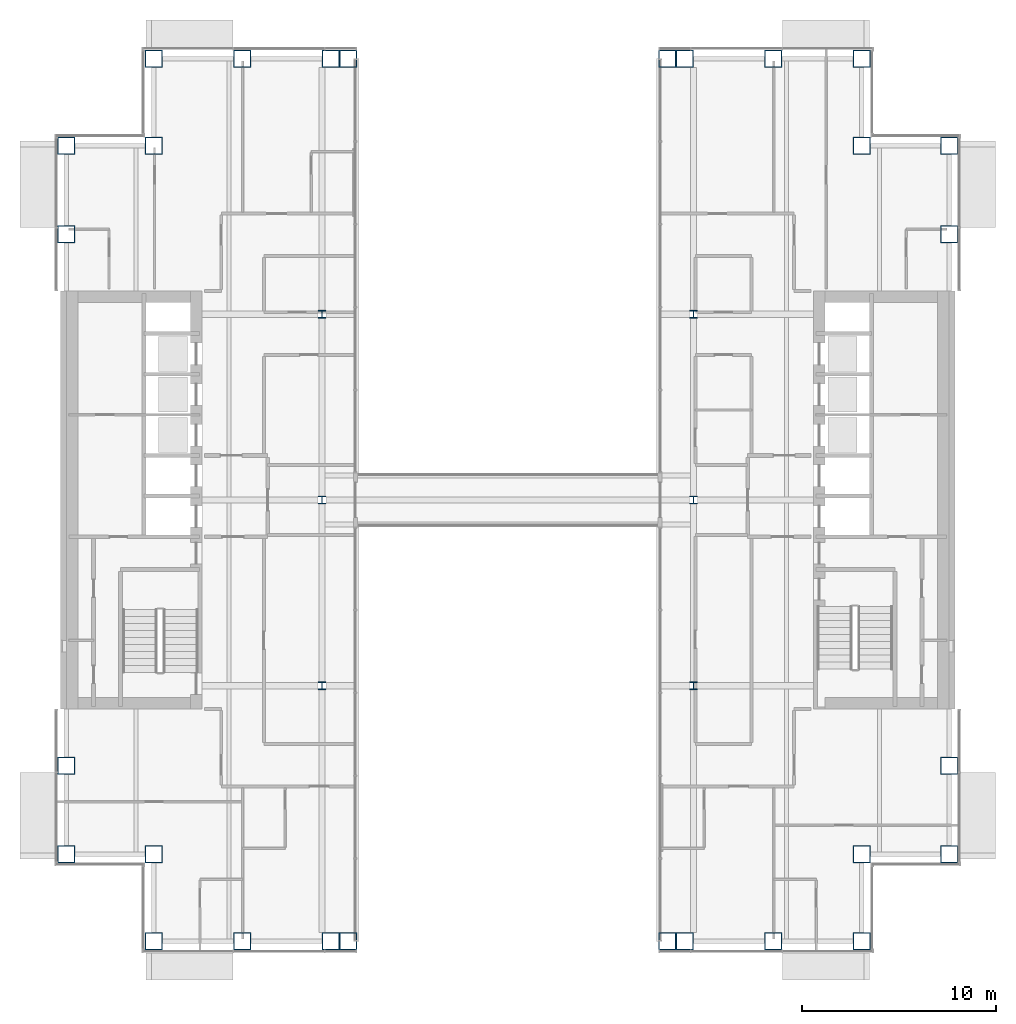
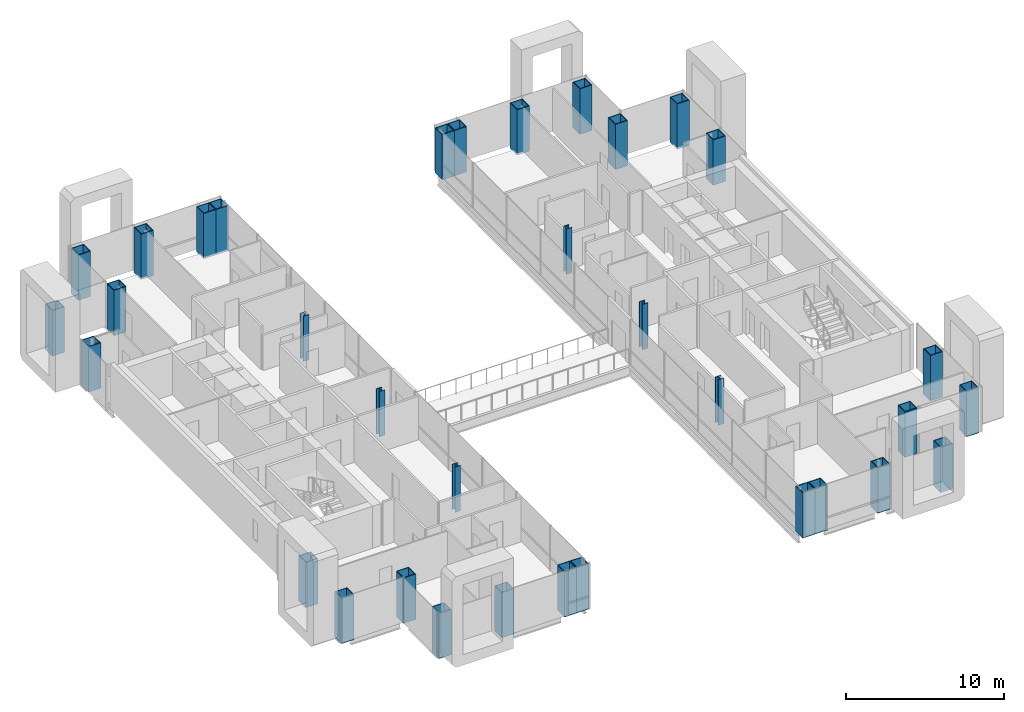
# One storey, part 1 of 17: 34 columns.
"""IFC4 building model written with IfcOpenShell, lengths in metres."""

from ifc_helpers import new_model, si_unit, direction, frame, origin, origin_2d, place, context, subcontext, project, spatial, hollow_rectangle, i_section, extrude, material, material_profile, profile_set, type_object, element, save


model = new_model("IFC4")

# Units and contexts
model_context = context("Model", 3, precision=1e-05, world=origin(), true_north=direction((0.0, 1.0)))
body_context = subcontext(model_context, "Body", "Model", "MODEL_VIEW")
ifc_project = project(units=[si_unit("LENGTHUNIT", "METRE"), si_unit("AREAUNIT", "SQUARE_METRE"), si_unit("VOLUMEUNIT", "CUBIC_METRE"), si_unit("PLANEANGLEUNIT", "RADIAN"), si_unit("MASSUNIT", "GRAM", prefix="KILO")], contexts=[model_context])

# Site, building, storey
site_placement = place(None, origin())
site = spatial("IfcSite", under=ifc_project, at=site_placement, CompositionType="ELEMENT")
building_placement = place(site_placement, origin())
building = spatial("IfcBuilding", under=site, at=building_placement, Name="Cobrizo Arcos Hotel Tower", CompositionType="ELEMENT")
storey_placement = place(building_placement, frame((0.0, 0.0, 131.0)))
storey = spatial("IfcBuildingStorey", under=building, at=storey_placement, Name="L33", CompositionType="ELEMENT", Elevation=131.0)

# Columns
ifc_material_1 = material(Name="Steel ASTM A572 Grade 50", Category="steel")
ifc_material_profile_1 = material_profile(ifc_material_1, hollow_rectangle(XDim=0.89990234375, YDim=0.89990234375, WallThickness=0.050048828125, at=origin_2d()), Name="BOX 900X900X50")
ifc_profile_set_1 = profile_set([ifc_material_profile_1], Name="Steel ASTM A572 Grade 50")
column_type_1 = type_object("IfcColumnType", Name="BOX 900X900X50 column", PredefinedType="COLUMN", material=ifc_profile_set_1)
for number, where, z_axis, x_axis, name in (
    (1, (-18.300048828125, 22.800048828125, -0.14990234375), (0.0, 0.0, 1.0), (1.0, 0.0, 0.0), "Perimeter column C6, L33, no. 00"),
    (2, (-18.300048828125, -22.800048828125, -0.14990234375), (0.0, 0.0, 1.0), (1.0, 0.0, 0.0), "Perimeter column C6, L33, no. 01"),
    (3, (-13.72509765625, 22.800048828125, -0.14990234375), (0.0, 0.0, 1.0), (1.0, 0.0, 0.0), "Perimeter column C6, L33, no. 02"),
    (4, (-13.72509765625, -22.800048828125, -0.14990234375), (0.0, 0.0, 1.0), (1.0, 0.0, 0.0), "Perimeter column C6, L33, no. 03"),
    (5, (-9.14990234375, 22.800048828125, -0.14990234375), (0.0, 0.0, 1.0), (1.0, 0.0, 0.0), "Perimeter column C6, L33, no. 04"),
    (6, (-9.14990234375, -22.800048828125, -0.14990234375), (0.0, 0.0, 1.0), (1.0, 0.0, 0.0), "Perimeter column C6, L33, no. 05"),
    (7, (9.14990234375, 22.800048828125, -0.14990234375), (0.0, 0.0, 1.0), (1.0, 0.0, 0.0), "Perimeter column C6, L33, no. 06"),
    (8, (9.14990234375, -22.800048828125, -0.14990234375), (0.0, 0.0, 1.0), (1.0, 0.0, 0.0), "Perimeter column C6, L33, no. 07"),
    (9, (13.72509765625, 22.800048828125, -0.14990234375), (0.0, 0.0, 1.0), (1.0, 0.0, 0.0), "Perimeter column C6, L33, no. 08"),
    (10, (13.72509765625, -22.800048828125, -0.14990234375), (0.0, 0.0, 1.0), (1.0, 0.0, 0.0), "Perimeter column C6, L33, no. 09"),
    (11, (18.300048828125, 22.800048828125, -0.14990234375), (0.0, 0.0, 1.0), (1.0, 0.0, 0.0), "Perimeter column C6, L33, no. 10"),
    (12, (18.300048828125, -22.800048828125, -0.14990234375), (0.0, 0.0, 1.0), (1.0, 0.0, 0.0), "Perimeter column C6, L33, no. 11"),
    (13, (22.800048828125, -18.300048828125, -0.14990234375), (0.0, 0.0, 1.0), (1.0, 0.0, 0.0), "Perimeter column C6, L33, no. 12"),
    (14, (-22.800048828125, -18.300048828125, -0.14990234375), (0.0, 0.0, 1.0), (1.0, 0.0, 0.0), "Perimeter column C6, L33, no. 13"),
    (15, (22.800048828125, -13.72509765625, -0.14990234375), (0.0, 0.0, 1.0), (1.0, 0.0, 0.0), "Perimeter column C6, L33, no. 14"),
    (16, (-22.800048828125, -13.72509765625, -0.14990234375), (0.0, 0.0, 1.0), (1.0, 0.0, 0.0), "Perimeter column C6, L33, no. 15"),
    (17, (22.800048828125, 13.72509765625, -0.14990234375), (0.0, 0.0, 1.0), (1.0, 0.0, 0.0), "Perimeter column C6, L33, no. 16"),
    (18, (-22.800048828125, 13.72509765625, -0.14990234375), (0.0, 0.0, 1.0), (1.0, 0.0, 0.0), "Perimeter column C6, L33, no. 17"),
    (19, (22.800048828125, 18.300048828125, -0.14990234375), (0.0, 0.0, 1.0), (1.0, 0.0, 0.0), "Perimeter column C6, L33, no. 18"),
    (20, (-22.800048828125, 18.300048828125, -0.14990234375), (0.0, 0.0, 1.0), (1.0, 0.0, 0.0), "Perimeter column C6, L33, no. 19"),
    (21, (-18.300048828125, -18.300048828125, -0.14990234375), (0.0, 0.0, 1.0), (1.0, 0.0, 0.0), "Perimeter column C6, L33, no. 20"),
    (22, (-18.300048828125, 18.300048828125, -0.14990234375), (0.0, 0.0, 1.0), (1.0, 0.0, 0.0), "Perimeter column C6, L33, no. 21"),
    (23, (18.300048828125, -18.300048828125, -0.14990234375), (0.0, 0.0, 1.0), (1.0, 0.0, 0.0), "Perimeter column C6, L33, no. 22"),
    (24, (18.300048828125, 18.300048828125, -0.14990234375), (0.0, 0.0, 1.0), (1.0, 0.0, 0.0), "Perimeter column C6, L33, no. 23"),
    (25, (-8.25, 22.800048828125, -0.14990234375), (0.0, 0.0, 1.0), (1.0, 0.0, 0.0), "Perimeter column C6, L33, no. 24"),
    (26, (-8.25, -22.800048828125, -0.14990234375), (0.0, 0.0, 1.0), (1.0, 0.0, 0.0), "Perimeter column C6, L33, no. 25"),
    (27, (8.25, 22.800048828125, -0.14990234375), (0.0, 0.0, 1.0), (1.0, 0.0, 0.0), "Perimeter column C6, L33, no. 26"),
    (28, (8.25, -22.800048828125, -0.14990234375), (0.0, 0.0, 1.0), (1.0, 0.0, 0.0), "Perimeter column C6, L33, no. 27"),
):
    element("IfcColumn", number, at=place(storey_placement, frame(where, z_axis=z_axis, x_axis=x_axis)), inside=storey, type_object=column_type_1, Name=name, PredefinedType="COLUMN", context=body_context, shape_type="SweptSolid", body=[
        extrude(hollow_rectangle(XDim=0.89990234375, YDim=0.89990234375, WallThickness=0.050048828125, at=origin_2d()), origin(), (0.0, 0.0, 1.0), 3.5),
    ])
ifc_material_2 = material(Name="Steel ASTM A992 Grade 50", Category="steel")
ifc_material_profile_2 = material_profile(ifc_material_2, i_section(OverallWidth=0.398681640625, OverallDepth=0.393798828125, WebThickness=0.022705078125, FlangeThickness=0.03662109375, at=origin_2d()), Name="W14X193")
ifc_profile_set_2 = profile_set([ifc_material_profile_2], Name="Steel ASTM A992 Grade 50")
column_type_2 = type_object("IfcColumnType", Name="W14X193 interior column", PredefinedType="COLUMN", material=ifc_profile_set_2)
for number, where, z_axis, x_axis, name in (
    (29, (-9.60009765625, -9.60009765625, -0.14990234375), (0.0, 0.0, 1.0), (1.0, 0.0, 0.0), "Interior column C7, L33, no. 00"),
    (30, (-9.60009765625, 0.0, -0.14990234375), (0.0, 0.0, 1.0), (1.0, 0.0, 0.0), "Interior column C7, L33, no. 01"),
    (31, (-9.60009765625, 9.60009765625, -0.14990234375), (0.0, 0.0, 1.0), (1.0, 0.0, 0.0), "Interior column C7, L33, no. 02"),
    (32, (9.60009765625, -9.60009765625, -0.14990234375), (0.0, 0.0, 1.0), (1.0, 0.0, 0.0), "Interior column C7, L33, no. 03"),
    (33, (9.60009765625, 0.0, -0.14990234375), (0.0, 0.0, 1.0), (1.0, 0.0, 0.0), "Interior column C7, L33, no. 04"),
    (34, (9.60009765625, 9.60009765625, -0.14990234375), (0.0, 0.0, 1.0), (1.0, 0.0, 0.0), "Interior column C7, L33, no. 05"),
):
    element("IfcColumn", number, at=place(storey_placement, frame(where, z_axis=z_axis, x_axis=x_axis)), inside=storey, type_object=column_type_2, Name=name, PredefinedType="COLUMN", context=body_context, shape_type="SweptSolid", body=[
        extrude(i_section(OverallWidth=0.398681640625, OverallDepth=0.393798828125, WebThickness=0.022705078125, FlangeThickness=0.03662109375, at=origin_2d()), origin(), (0.0, 0.0, 1.0), 3.5),
    ])

save(model, "model.ifc")
